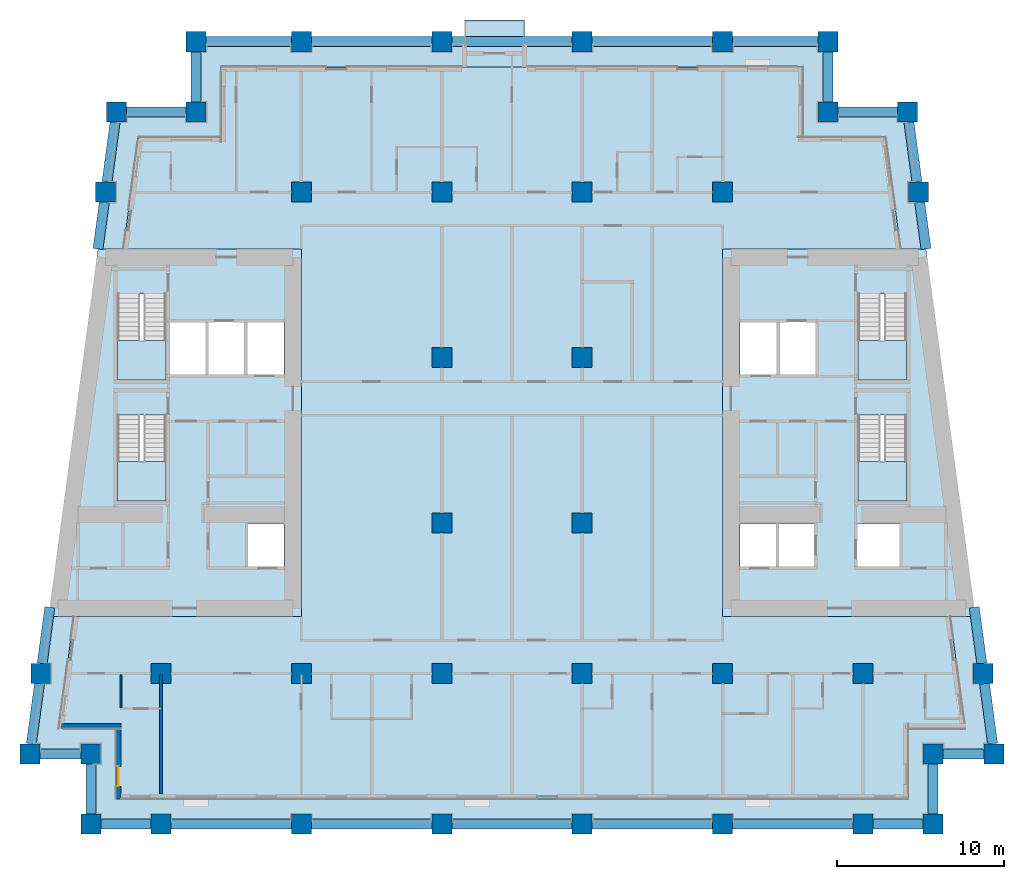
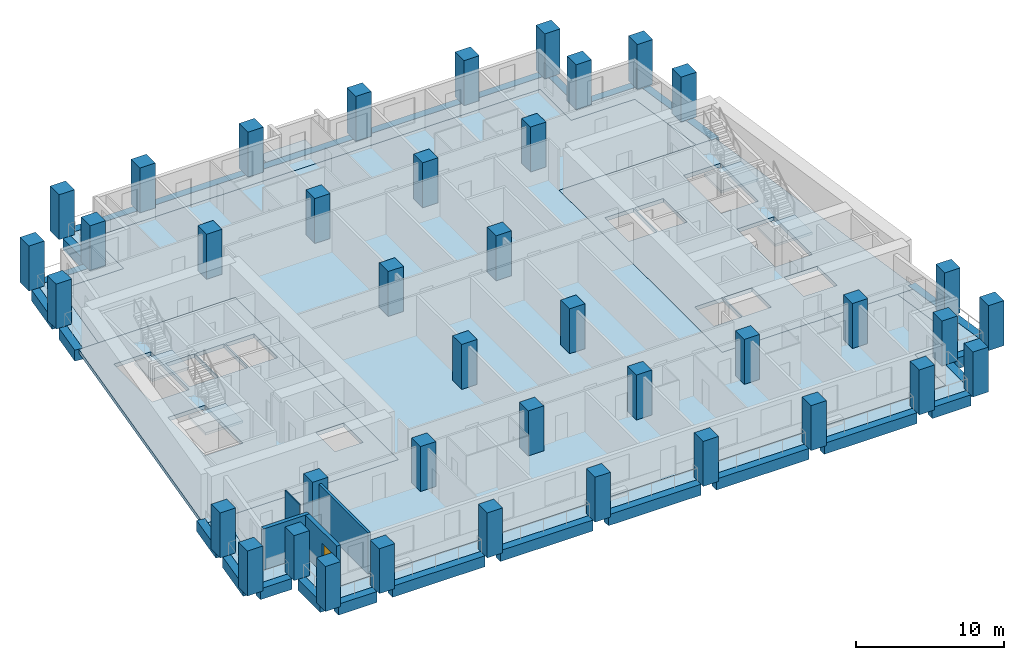
# One storey, part 1 of 13: 40 columns, 28 beams, 10 slabs, 4 walls, 1 door, 1 opening, 4 elements without a shape of their own.
"""IFC4 building model written with IfcOpenShell, lengths in metres."""

from ifc_helpers import new_model, si_unit, direction, frame, frame_2d, origin, origin_2d, place, context, subcontext, project, spatial, polyline, rectangle, outline, extrude, material, layer, layer_set, material_profile, profile_set, type_object, element, fill, aggregate, save


model = new_model("IFC4")

# Units and contexts
model_context = context("Model", 3, precision=1e-05, world=origin(), true_north=direction((0.0, 1.0)))
body_context = subcontext(model_context, "Body", "Model", "MODEL_VIEW")
ifc_project = project(units=[si_unit("LENGTHUNIT", "METRE"), si_unit("AREAUNIT", "SQUARE_METRE"), si_unit("VOLUMEUNIT", "CUBIC_METRE"), si_unit("PLANEANGLEUNIT", "RADIAN"), si_unit("MASSUNIT", "GRAM", prefix="KILO")], contexts=[model_context])

# Site, building, storey
site_placement = place(None, origin())
site = spatial("IfcSite", under=ifc_project, at=site_placement, CompositionType="ELEMENT")
building_placement = place(site_placement, origin())
building = spatial("IfcBuilding", under=site, at=building_placement, Name="Candeia Pilgrim Tower and Theatre", CompositionType="ELEMENT")
storey_placement = place(building_placement, frame((0.0, 0.0, 113.199951171875)))
storey = spatial("IfcBuildingStorey", under=building, at=storey_placement, Name="L26", CompositionType="ELEMENT", Elevation=113.199951171875)

# Columns
ifc_material_1 = material(Name="Concrete C70/85", Category="concrete")
ifc_material_profile_1 = material_profile(ifc_material_1, rectangle(XDim=1.199951171875, YDim=1.199951171875, at=origin_2d()))
ifc_profile_set_1 = profile_set([ifc_material_profile_1], Name="Concrete C70/85")
column_type = type_object("IfcColumnType", Name="RC 1200x1200 C70/85", PredefinedType="COLUMN", material=ifc_profile_set_1)
for number, where, z_axis, x_axis, name in (
    (1, (92.39990234375, 98.0, 0.0), (0.0, 0.0, 1.0), (1.0, 0.0, 0.0), "Column A1"),
    (2, (100.800048828125, 98.0, 0.0), (0.0, 0.0, 1.0), (1.0, 0.0, 0.0), "Column A2"),
    (3, (109.199951171875, 98.0, 0.0), (0.0, 0.0, 1.0), (1.0, 0.0, 0.0), "Column A3"),
    (4, (117.60009765625, 98.0, 0.0), (0.0, 0.0, 1.0), (1.0, 0.0, 0.0), "Column A4"),
    (5, (126.0, 98.0, 0.0), (0.0, 0.0, 1.0), (1.0, 0.0, 0.0), "Column A5"),
    (6, (134.39990234375, 98.0, 0.0), (0.0, 0.0, 1.0), (1.0, 0.0, 0.0), "Column A6"),
    (7, (88.199951171875, 98.0, 0.0), (0.0, 0.0, 1.0), (1.0, 0.0, 0.0), "Column AW"),
    (8, (138.60009765625, 98.0, 0.0), (0.0, 0.0, 1.0), (1.0, 0.0, 0.0), "Column AE"),
    (9, (88.199951171875, 102.199951171875, 0.0), (0.0, 0.0, 1.0), (1.0, 0.0, 0.0), "Column NSW"),
    (10, (138.60009765625, 102.199951171875, 0.0), (0.0, 0.0, 1.0), (1.0, 0.0, 0.0), "Column NSE"),
    (11, (94.5, 140.60009765625, 0.0), (0.0, 0.0, 1.0), (1.0, 0.0, 0.0), "Column NNW"),
    (12, (132.300048828125, 140.60009765625, 0.0), (0.0, 0.0, 1.0), (1.0, 0.0, 0.0), "Column NNE"),
    (13, (84.5654296875, 102.199951171875, 0.0), (0.0, 0.0, 1.0), (1.0, 0.0, 0.0), "Column LSW"),
    (14, (142.234619140625, 102.199951171875, 0.0), (0.0, 0.0, 1.0), (1.0, 0.0, 0.0), "Column LSE"),
    (15, (89.734619140625, 140.60009765625, 0.0), (0.0, 0.0, 1.0), (1.0, 0.0, 0.0), "Column LNW"),
    (16, (137.0654296875, 140.60009765625, 0.0), (0.0, 0.0, 1.0), (1.0, 0.0, 0.0), "Column LNE"),
    (17, (92.39990234375, 107.0, 0.0), (0.0, 0.0, 1.0), (1.0, 0.0, 0.0), "Column B1"),
    (18, (100.800048828125, 107.0, 0.0), (0.0, 0.0, 1.0), (1.0, 0.0, 0.0), "Column B2"),
    (19, (109.199951171875, 107.0, 0.0), (0.0, 0.0, 1.0), (1.0, 0.0, 0.0), "Column B3"),
    (20, (117.60009765625, 107.0, 0.0), (0.0, 0.0, 1.0), (1.0, 0.0, 0.0), "Column B4"),
    (21, (126.0, 107.0, 0.0), (0.0, 0.0, 1.0), (1.0, 0.0, 0.0), "Column B5"),
    (22, (134.39990234375, 107.0, 0.0), (0.0, 0.0, 1.0), (1.0, 0.0, 0.0), "Column B6"),
    (23, (85.21142578125, 107.0, 0.0), (0.0, 0.0, 1.0), (1.0, 0.0, 0.0), "Column BW"),
    (24, (141.58837890625, 107.0, 0.0), (0.0, 0.0, 1.0), (1.0, 0.0, 0.0), "Column BE"),
    (25, (109.199951171875, 116.0, 0.0), (0.0, 0.0, 1.0), (1.0, 0.0, 0.0), "Column C3"),
    (26, (117.60009765625, 116.0, 0.0), (0.0, 0.0, 1.0), (1.0, 0.0, 0.0), "Column C4"),
    (27, (109.199951171875, 125.89990234375, 0.0), (0.0, 0.0, 1.0), (1.0, 0.0, 0.0), "Column D3"),
    (28, (117.60009765625, 125.89990234375, 0.0), (0.0, 0.0, 1.0), (1.0, 0.0, 0.0), "Column D4"),
    (29, (100.800048828125, 135.800048828125, 0.0), (0.0, 0.0, 1.0), (1.0, 0.0, 0.0), "Column E2"),
    (30, (109.199951171875, 135.800048828125, 0.0), (0.0, 0.0, 1.0), (1.0, 0.0, 0.0), "Column E3"),
    (31, (117.60009765625, 135.800048828125, 0.0), (0.0, 0.0, 1.0), (1.0, 0.0, 0.0), "Column E4"),
    (32, (126.0, 135.800048828125, 0.0), (0.0, 0.0, 1.0), (1.0, 0.0, 0.0), "Column E5"),
    (33, (89.08837890625, 135.800048828125, 0.0), (0.0, 0.0, 1.0), (1.0, 0.0, 0.0), "Column EW"),
    (34, (137.71142578125, 135.800048828125, 0.0), (0.0, 0.0, 1.0), (1.0, 0.0, 0.0), "Column EE"),
    (35, (100.800048828125, 144.800048828125, 0.0), (0.0, 0.0, 1.0), (1.0, 0.0, 0.0), "Column F2"),
    (36, (109.199951171875, 144.800048828125, 0.0), (0.0, 0.0, 1.0), (1.0, 0.0, 0.0), "Column F3"),
    (37, (117.60009765625, 144.800048828125, 0.0), (0.0, 0.0, 1.0), (1.0, 0.0, 0.0), "Column F4"),
    (38, (126.0, 144.800048828125, 0.0), (0.0, 0.0, 1.0), (1.0, 0.0, 0.0), "Column F5"),
    (39, (94.5, 144.800048828125, 0.0), (0.0, 0.0, 1.0), (1.0, 0.0, 0.0), "Column FW"),
    (40, (132.300048828125, 144.800048828125, 0.0), (0.0, 0.0, 1.0), (1.0, 0.0, 0.0), "Column FE"),
):
    element("IfcColumn", number, at=place(storey_placement, frame(where, z_axis=z_axis, x_axis=x_axis)), inside=storey, type_object=column_type, Name=name, PredefinedType="COLUMN", context=body_context, shape_type="SweptSolid", body=[
        extrude(rectangle(XDim=1.199951171875, YDim=1.199951171875, at=origin_2d()), origin(), (0.0, 0.0, 1.0), 3.699951171875),
    ])

# Beams
ifc_material_profile_2 = material_profile(ifc_material_1, rectangle(XDim=0.60009765625, YDim=0.89990234375, at=origin_2d()))
ifc_profile_set_2 = profile_set([ifc_material_profile_2], Name="Concrete C70/85")
beam_type = type_object("IfcBeamType", Name="RC 600x900 C70/85", PredefinedType="BEAM", material=ifc_profile_set_2)
beam_1_placement = place(storey_placement, frame((88.800048828125, 98.0, -0.449951171875), z_axis=(1.0, 0.0, 0.0), x_axis=(0.0, 1.0, 0.0)))
element("IfcBeam", 41, at=beam_1_placement, inside=storey, type_object=beam_type, Name="Spandrel beam L26-01", PredefinedType="BEAM", context=body_context, shape_type="SweptSolid", body=[
    extrude(rectangle(XDim=0.60009765625, YDim=0.89990234375, at=origin_2d()), origin(), (0.0, 0.0, 1.0), 3.0),
])
beam_2_placement = place(storey_placement, frame((93.0, 98.0, -0.449951171875), z_axis=(1.0, 0.0, 0.0), x_axis=(0.0, 1.0, 0.0)))
element("IfcBeam", 42, at=beam_2_placement, inside=storey, type_object=beam_type, Name="Spandrel beam L26-02", PredefinedType="BEAM", context=body_context, shape_type="SweptSolid", body=[
    extrude(rectangle(XDim=0.60009765625, YDim=0.89990234375, at=origin_2d()), origin(), (0.0, 0.0, 1.0), 7.199951171875),
])
beam_3_placement = place(storey_placement, frame((101.39990234375, 98.0, -0.449951171875), z_axis=(1.0, 0.0, 0.0), x_axis=(0.0, 1.0, 0.0)))
element("IfcBeam", 43, at=beam_3_placement, inside=storey, type_object=beam_type, Name="Spandrel beam L26-03", PredefinedType="BEAM", context=body_context, shape_type="SweptSolid", body=[
    extrude(rectangle(XDim=0.60009765625, YDim=0.89990234375, at=origin_2d()), origin(), (0.0, 0.0, 1.0), 7.2001953125),
])
for number, where, z_axis, x_axis, name in (
    (44, (109.800048828125, 98.0, -0.449951171875), (1.0, 0.0, 0.0), (0.0, 1.0, 0.0), "Spandrel beam L26-04"),
    (45, (118.199951171875, 98.0, -0.449951171875), (1.0, 0.0, 0.0), (0.0, 1.0, 0.0), "Spandrel beam L26-05"),
    (46, (126.60009765625, 98.0, -0.449951171875), (1.0, 0.0, 0.0), (0.0, 1.0, 0.0), "Spandrel beam L26-06"),
):
    element("IfcBeam", number, at=place(storey_placement, frame(where, z_axis=z_axis, x_axis=x_axis)), inside=storey, type_object=beam_type, Name=name, PredefinedType="BEAM", context=body_context, shape_type="SweptSolid", body=[
        extrude(rectangle(XDim=0.60009765625, YDim=0.89990234375, at=origin_2d()), origin(), (0.0, 0.0, 1.0), 7.199951171875),
    ])
for number, where, z_axis, x_axis, name in (
    (47, (135.0, 98.0, -0.449951171875), (1.0, 0.0, 0.0), (0.0, 1.0, 0.0), "Spandrel beam L26-07"),
    (48, (138.60009765625, 98.60009765625, -0.449951171875), (0.0, 1.0, 0.0), (-1.0, 0.0, 0.0), "Spandrel beam L26-08"),
):
    element("IfcBeam", number, at=place(storey_placement, frame(where, z_axis=z_axis, x_axis=x_axis)), inside=storey, type_object=beam_type, Name=name, PredefinedType="BEAM", context=body_context, shape_type="SweptSolid", body=[
        extrude(rectangle(XDim=0.60009765625, YDim=0.89990234375, at=origin_2d()), origin(), (0.0, 0.0, 1.0), 3.0),
    ])
beam_4_placement = place(storey_placement, frame((139.199951171875, 102.199951171875, -0.449951171875), z_axis=(1.0, 0.0, 0.0), x_axis=(0.0, 1.0, 0.0)))
element("IfcBeam", 49, at=beam_4_placement, inside=storey, type_object=beam_type, Name="Spandrel beam L26-09", PredefinedType="BEAM", context=body_context, shape_type="SweptSolid", body=[
    extrude(rectangle(XDim=0.60009765625, YDim=0.89990234375, at=origin_2d()), origin(), (0.0, 0.0, 1.0), 2.4345703125),
])
beam_5_placement = place(storey_placement, frame((142.15380859375, 102.800048828125, -0.449951171875), z_axis=(-0.133418359924, 0.991059807093, 0.0), x_axis=(-0.991059807093, -0.133418359924, 0.0)))
element("IfcBeam", 50, at=beam_5_placement, inside=storey, type_object=beam_type, Name="Spandrel beam L26-10", PredefinedType="BEAM", context=body_context, shape_type="SweptSolid", body=[
    extrude(rectangle(XDim=0.60009765625, YDim=0.89990234375, at=origin_2d()), origin(), (0.0, 0.0, 1.0), 3.63232421875),
])
beam_6_placement = place(storey_placement, frame((141.5078125, 107.60009765625, -0.449951171875), z_axis=(-0.133458165992, 0.99105444751, 0.0), x_axis=(-0.99105444751, -0.133458165992, 0.0)))
element("IfcBeam", 51, at=beam_6_placement, inside=storey, type_object=beam_type, Name="Spandrel beam L26-11", PredefinedType="BEAM", context=body_context, shape_type="SweptSolid", body=[
    extrude(rectangle(XDim=0.60009765625, YDim=0.89990234375, at=origin_2d()), origin(), (0.0, 0.0, 1.0), 3.39697265625),
])
beam_7_placement = place(storey_placement, frame((138.169189453125, 132.39990234375, -0.449951171875), z_axis=(-0.133420173099, 0.991059562998, 0.0), x_axis=(-0.991059562998, -0.133420173099, 0.0)))
element("IfcBeam", 52, at=beam_7_placement, inside=storey, type_object=beam_type, Name="Spandrel beam L26-12", PredefinedType="BEAM", context=body_context, shape_type="SweptSolid", body=[
    extrude(rectangle(XDim=0.60009765625, YDim=0.89990234375, at=origin_2d()), origin(), (0.0, 0.0, 1.0), 2.8251953125),
])
beam_8_placement = place(storey_placement, frame((137.630859375, 136.39990234375, -0.449951171875), z_axis=(-0.133409473196, 0.991061003401, 0.0), x_axis=(-0.991061003401, -0.133409473196, 0.0)))
element("IfcBeam", 53, at=beam_8_placement, inside=storey, type_object=beam_type, Name="Spandrel beam L26-13", PredefinedType="BEAM", context=body_context, shape_type="SweptSolid", body=[
    extrude(rectangle(XDim=0.60009765625, YDim=0.89990234375, at=origin_2d()), origin(), (0.0, 0.0, 1.0), 3.632568359375),
])
beam_9_placement = place(storey_placement, frame((136.46533203125, 140.60009765625, -0.449951171875), z_axis=(-1.0, 0.0, 0.0), x_axis=(0.0, -1.0, 0.0)))
element("IfcBeam", 54, at=beam_9_placement, inside=storey, type_object=beam_type, Name="Spandrel beam L26-14", PredefinedType="BEAM", context=body_context, shape_type="SweptSolid", body=[
    extrude(rectangle(XDim=0.60009765625, YDim=0.89990234375, at=origin_2d()), origin(), (0.0, 0.0, 1.0), 3.5654296875),
])
beam_10_placement = place(storey_placement, frame((132.300048828125, 141.199951171875, -0.449951171875), z_axis=(0.0, 1.0, 0.0), x_axis=(-1.0, 0.0, 0.0)))
element("IfcBeam", 55, at=beam_10_placement, inside=storey, type_object=beam_type, Name="Spandrel beam L26-15", PredefinedType="BEAM", context=body_context, shape_type="SweptSolid", body=[
    extrude(rectangle(XDim=0.60009765625, YDim=0.89990234375, at=origin_2d()), origin(), (0.0, 0.0, 1.0), 3.0),
])
beam_11_placement = place(storey_placement, frame((131.699951171875, 144.800048828125, -0.449951171875), z_axis=(-1.0, 0.0, 0.0), x_axis=(0.0, -1.0, 0.0)))
element("IfcBeam", 56, at=beam_11_placement, inside=storey, type_object=beam_type, Name="Spandrel beam L26-16", PredefinedType="BEAM", context=body_context, shape_type="SweptSolid", body=[
    extrude(rectangle(XDim=0.60009765625, YDim=0.89990234375, at=origin_2d()), origin(), (0.0, 0.0, 1.0), 5.099853515625),
])
for number, where, z_axis, x_axis, name in (
    (57, (125.39990234375, 144.800048828125, -0.449951171875), (-1.0, 0.0, 0.0), (0.0, -1.0, 0.0), "Spandrel beam L26-17"),
    (58, (117.0, 144.800048828125, -0.449951171875), (-1.0, 0.0, 0.0), (0.0, -1.0, 0.0), "Spandrel beam L26-18"),
):
    element("IfcBeam", number, at=place(storey_placement, frame(where, z_axis=z_axis, x_axis=x_axis)), inside=storey, type_object=beam_type, Name=name, PredefinedType="BEAM", context=body_context, shape_type="SweptSolid", body=[
        extrude(rectangle(XDim=0.60009765625, YDim=0.89990234375, at=origin_2d()), origin(), (0.0, 0.0, 1.0), 7.199951171875),
    ])
beam_12_placement = place(storey_placement, frame((108.60009765625, 144.800048828125, -0.449951171875), z_axis=(-1.0, 0.0, 0.0), x_axis=(0.0, -1.0, 0.0)))
element("IfcBeam", 59, at=beam_12_placement, inside=storey, type_object=beam_type, Name="Spandrel beam L26-19", PredefinedType="BEAM", context=body_context, shape_type="SweptSolid", body=[
    extrude(rectangle(XDim=0.60009765625, YDim=0.89990234375, at=origin_2d()), origin(), (0.0, 0.0, 1.0), 7.2001953125),
])
beam_13_placement = place(storey_placement, frame((100.199951171875, 144.800048828125, -0.449951171875), z_axis=(-1.0, 0.0, 0.0), x_axis=(0.0, -1.0, 0.0)))
element("IfcBeam", 60, at=beam_13_placement, inside=storey, type_object=beam_type, Name="Spandrel beam L26-20", PredefinedType="BEAM", context=body_context, shape_type="SweptSolid", body=[
    extrude(rectangle(XDim=0.60009765625, YDim=0.89990234375, at=origin_2d()), origin(), (0.0, 0.0, 1.0), 5.099853515625),
])
beam_14_placement = place(storey_placement, frame((94.5, 144.199951171875, -0.449951171875), z_axis=(0.0, -1.0, 0.0), x_axis=(1.0, 0.0, 0.0)))
element("IfcBeam", 61, at=beam_14_placement, inside=storey, type_object=beam_type, Name="Spandrel beam L26-21", PredefinedType="BEAM", context=body_context, shape_type="SweptSolid", body=[
    extrude(rectangle(XDim=0.60009765625, YDim=0.89990234375, at=origin_2d()), origin(), (0.0, 0.0, 1.0), 3.0),
])
beam_15_placement = place(storey_placement, frame((93.89990234375, 140.60009765625, -0.449951171875), z_axis=(-1.0, 0.0, 0.0), x_axis=(0.0, -1.0, 0.0)))
element("IfcBeam", 62, at=beam_15_placement, inside=storey, type_object=beam_type, Name="Spandrel beam L26-22", PredefinedType="BEAM", context=body_context, shape_type="SweptSolid", body=[
    extrude(rectangle(XDim=0.60009765625, YDim=0.89990234375, at=origin_2d()), origin(), (0.0, 0.0, 1.0), 3.565185546875),
])
beam_16_placement = place(storey_placement, frame((89.65380859375, 140.0, -0.449951171875), z_axis=(-0.133409473196, -0.991061003401, 0.0), x_axis=(0.991061003401, -0.133409473196, 0.0)))
element("IfcBeam", 63, at=beam_16_placement, inside=storey, type_object=beam_type, Name="Spandrel beam L26-23", PredefinedType="BEAM", context=body_context, shape_type="SweptSolid", body=[
    extrude(rectangle(XDim=0.60009765625, YDim=0.89990234375, at=origin_2d()), origin(), (0.0, 0.0, 1.0), 3.632568359375),
])
beam_17_placement = place(storey_placement, frame((89.0078125, 135.199951171875, -0.449951171875), z_axis=(-0.133420173099, -0.991059562998, 0.0), x_axis=(0.991059562998, -0.133420173099, 0.0)))
element("IfcBeam", 64, at=beam_17_placement, inside=storey, type_object=beam_type, Name="Spandrel beam L26-24", PredefinedType="BEAM", context=body_context, shape_type="SweptSolid", body=[
    extrude(rectangle(XDim=0.60009765625, YDim=0.89990234375, at=origin_2d()), origin(), (0.0, 0.0, 1.0), 2.8251953125),
])
beam_18_placement = place(storey_placement, frame((85.74560546875, 110.966796875, -0.449951171875), z_axis=(-0.133458165992, -0.99105444751, 0.0), x_axis=(0.99105444751, -0.133458165992, 0.0)))
element("IfcBeam", 65, at=beam_18_placement, inside=storey, type_object=beam_type, Name="Spandrel beam L26-25", PredefinedType="BEAM", context=body_context, shape_type="SweptSolid", body=[
    extrude(rectangle(XDim=0.60009765625, YDim=0.89990234375, at=origin_2d()), origin(), (0.0, 0.0, 1.0), 3.39697265625),
])
beam_19_placement = place(storey_placement, frame((85.130859375, 106.39990234375, -0.449951171875), z_axis=(-0.133418359924, -0.991059807093, 0.0), x_axis=(0.991059807093, -0.133418359924, 0.0)))
element("IfcBeam", 66, at=beam_19_placement, inside=storey, type_object=beam_type, Name="Spandrel beam L26-26", PredefinedType="BEAM", context=body_context, shape_type="SweptSolid", body=[
    extrude(rectangle(XDim=0.60009765625, YDim=0.89990234375, at=origin_2d()), origin(), (0.0, 0.0, 1.0), 3.63232421875),
])
beam_20_placement = place(storey_placement, frame((85.165283203125, 102.199951171875, -0.449951171875), z_axis=(1.0, 0.0, 0.0), x_axis=(0.0, 1.0, 0.0)))
element("IfcBeam", 67, at=beam_20_placement, inside=storey, type_object=beam_type, Name="Spandrel beam L26-27", PredefinedType="BEAM", context=body_context, shape_type="SweptSolid", body=[
    extrude(rectangle(XDim=0.60009765625, YDim=0.89990234375, at=origin_2d()), origin(), (0.0, 0.0, 1.0), 2.434814453125),
])
beam_21_placement = place(storey_placement, frame((88.199951171875, 101.60009765625, -0.449951171875), z_axis=(0.0, -1.0, 0.0), x_axis=(1.0, 0.0, 0.0)))
element("IfcBeam", 68, at=beam_21_placement, inside=storey, type_object=beam_type, Name="Spandrel beam L26-28", PredefinedType="BEAM", context=body_context, shape_type="SweptSolid", body=[
    extrude(rectangle(XDim=0.60009765625, YDim=0.89990234375, at=origin_2d()), origin(), (0.0, 0.0, 1.0), 3.0),
])

# Slabs
ifc_material_2 = material(Name="Concrete C40/50", Category="concrete")
ifc_layer_1 = layer(ifc_material_2, 0.25)
ifc_layer_set_1 = layer_set([ifc_layer_1], Name="BK1 balcony slab 250")
slab_type_1 = type_object("IfcSlabType", Name="BK1 balcony slab 250", PredefinedType="USERDEFINED", material=ifc_layer_set_1)
slab_1_placement = place(storey_placement, frame((0.0, 0.0, -0.25)))
element("IfcSlab", 69, at=slab_1_placement, inside=storey, type_object=slab_type_1, Name="Balcony L26", ObjectType="BALCONY", PredefinedType="USERDEFINED", context=body_context, shape_type="SweptSolid", body=[
    extrude(outline(polyline([(110.550048828125, 144.5), (114.14990234375, 144.5), (114.14990234375, 146.10009765625), (110.550048828125, 146.10009765625), (110.550048828125, 144.5)])), origin(), (0.0, 0.0, 1.0), 0.25),
])
ifc_material_3 = material(Name="Concrete C60/75", Category="concrete")
ifc_layer_2 = layer(ifc_material_3, 0.320068359375)
ifc_layer_set_2 = layer_set([ifc_layer_2], Name="FS-CORE 320 core floor")
slab_type_2 = type_object("IfcSlabType", Name="FS-CORE 320 core floor", PredefinedType="FLOOR", material=ifc_layer_set_2)
slab_2_placement = place(storey_placement, frame((0.0, 0.0, -0.320068359375)))
element("IfcSlab", 70, at=slab_2_placement, inside=storey, type_object=slab_type_2, Name="Core floor W L26", PredefinedType="FLOOR", context=body_context, shape_type="SweptSolid", body=[
    extrude(outline(polyline([(100.800048828125, 132.39990234375), (100.800048828125, 110.39990234375), (85.669189453125, 110.39990234375), (88.630859375, 132.39990234375), (100.800048828125, 132.39990234375)]), holes=[polyline([(97.525634765625, 128.050048828125), (97.525634765625, 124.85009765625), (99.75, 124.85009765625), (99.75, 128.050048828125), (97.525634765625, 128.050048828125)]), polyline([(97.5634765625, 113.35009765625), (99.75, 113.35009765625), (99.75, 115.949951171875), (97.5634765625, 115.949951171875), (97.5634765625, 113.35009765625)]), polyline([(95.201416015625, 124.85009765625), (97.42578125, 124.85009765625), (97.42578125, 128.050048828125), (95.201416015625, 128.050048828125), (95.201416015625, 124.85009765625)]), polyline([(92.876953125, 128.050048828125), (92.876953125, 124.85009765625), (95.101318359375, 124.85009765625), (95.101318359375, 128.050048828125), (92.876953125, 128.050048828125)]), polyline([(89.802001953125, 122.455078125), (89.802001953125, 117.324951171875), (92.701904296875, 117.324951171875), (92.701904296875, 122.455078125), (89.802001953125, 122.455078125)]), polyline([(89.802001953125, 129.705078125), (89.802001953125, 124.574951171875), (92.701904296875, 124.574951171875), (92.701904296875, 129.705078125), (89.802001953125, 129.705078125)])]), origin(), (0.0, 0.0, 1.0), 0.320068359375),
])
slab_3_placement = place(storey_placement, frame((0.0, 0.0, -0.320068359375)))
element("IfcSlab", 71, at=slab_3_placement, inside=storey, type_object=slab_type_2, Name="Core floor E L26", PredefinedType="FLOOR", context=body_context, shape_type="SweptSolid", body=[
    extrude(outline(polyline([(138.169189453125, 132.39990234375), (141.130859375, 110.39990234375), (126.0, 110.39990234375), (126.0, 132.39990234375), (138.169189453125, 132.39990234375)]), holes=[polyline([(134.097900390625, 122.455078125), (134.097900390625, 117.324951171875), (136.998046875, 117.324951171875), (136.998046875, 122.455078125), (134.097900390625, 122.455078125)]), polyline([(134.097900390625, 129.705078125), (134.097900390625, 124.574951171875), (136.998046875, 124.574951171875), (136.998046875, 129.705078125), (134.097900390625, 129.705078125)]), polyline([(136.6220703125, 115.949951171875), (134.02294921875, 115.949951171875), (134.02294921875, 113.35009765625), (136.6220703125, 113.35009765625), (136.6220703125, 115.949951171875)]), polyline([(131.5986328125, 128.050048828125), (129.374267578125, 128.050048828125), (129.374267578125, 124.85009765625), (131.5986328125, 124.85009765625), (131.5986328125, 128.050048828125)]), polyline([(131.52294921875, 115.949951171875), (129.33642578125, 115.949951171875), (129.33642578125, 113.35009765625), (131.52294921875, 113.35009765625), (131.52294921875, 115.949951171875)]), polyline([(129.2744140625, 128.050048828125), (127.050048828125, 128.050048828125), (127.050048828125, 124.85009765625), (129.2744140625, 124.85009765625), (129.2744140625, 128.050048828125)]), polyline([(127.050048828125, 115.949951171875), (127.050048828125, 113.35009765625), (129.236572265625, 113.35009765625), (129.236572265625, 115.949951171875), (127.050048828125, 115.949951171875)])]), origin(), (0.0, 0.0, 1.0), 0.320068359375),
])
ifc_material_4 = material(Name="Concrete C50/60", Category="concrete")
ifc_layer_3 = layer(ifc_material_4, 0.320068359375)
ifc_layer_set_3 = layer_set([ifc_layer_3], Name="Floor slab 320 C50/60")
slab_type_3 = type_object("IfcSlabType", Name="Floor slab 320 C50/60", PredefinedType="FLOOR", material=ifc_layer_set_3)
slab_4_placement = place(storey_placement, frame((0.0, 0.0, -0.320068359375)))
element("IfcSlab", 72, at=slab_4_placement, inside=storey, type_object=slab_type_3, Name="Floor slab L26", PredefinedType="FLOOR", context=body_context, shape_type="SweptSolid", body=[
    extrude(outline(polyline([(96.0, 139.10009765625), (96.0, 143.300048828125), (130.800048828125, 143.300048828125), (130.800048828125, 139.10009765625), (135.753662109375, 139.10009765625), (136.65576171875, 132.39990234375), (126.0, 132.39990234375), (126.0, 110.39990234375), (139.6171875, 110.39990234375), (140.51904296875, 103.699951171875), (137.10009765625, 103.699951171875), (137.10009765625, 99.5), (89.699951171875, 99.5), (89.699951171875, 103.699951171875), (86.28076171875, 103.699951171875), (87.182861328125, 110.39990234375), (100.800048828125, 110.39990234375), (100.800048828125, 132.39990234375), (90.144287109375, 132.39990234375), (91.046142578125, 139.10009765625), (96.0, 139.10009765625)])), origin(), (0.0, 0.0, 1.0), 0.320068359375),
])
ifc_layer_4 = layer(ifc_material_2, 0.25)
ifc_layer_set_4 = layer_set([ifc_layer_4], Name="Loggia slab 250 C40/50")
slab_type_4 = type_object("IfcSlabType", Name="Loggia slab 250 C40/50", PredefinedType="FLOOR", material=ifc_layer_set_4)
slab_5_placement = place(storey_placement, frame((0.0, 0.0, -0.25)))
element("IfcSlab", 73, at=slab_5_placement, inside=storey, type_object=slab_type_4, Name="Loggia slab L26 1", PredefinedType="FLOOR", context=body_context, shape_type="SweptSolid", body=[
    extrude(outline(polyline([(87.182861328125, 110.39990234375), (86.28076171875, 103.699951171875), (89.699951171875, 103.699951171875), (89.699951171875, 99.5), (137.10009765625, 99.5), (137.10009765625, 103.699951171875), (140.51904296875, 103.699951171875), (139.6171875, 110.39990234375), (140.828125, 110.39990234375), (141.8916015625, 102.5), (138.300048828125, 102.5), (138.300048828125, 98.300048828125), (88.5, 98.300048828125), (88.5, 102.5), (84.908447265625, 102.5), (85.971923828125, 110.39990234375), (87.182861328125, 110.39990234375)])), origin(), (0.0, 0.0, 1.0), 0.25),
])
slab_6_placement = place(storey_placement, frame((0.0, 0.0, -0.25)))
element("IfcSlab", 74, at=slab_6_placement, inside=storey, type_object=slab_type_4, Name="Loggia slab L26 2", PredefinedType="FLOOR", context=body_context, shape_type="SweptSolid", body=[
    extrude(outline(polyline([(136.65576171875, 132.39990234375), (135.753662109375, 139.10009765625), (130.800048828125, 139.10009765625), (130.800048828125, 143.300048828125), (96.0, 143.300048828125), (96.0, 139.10009765625), (91.046142578125, 139.10009765625), (90.144287109375, 132.39990234375), (88.93359375, 132.39990234375), (89.996826171875, 140.300048828125), (94.800048828125, 140.300048828125), (94.800048828125, 144.5), (132.0, 144.5), (132.0, 140.300048828125), (136.802978515625, 140.300048828125), (137.866455078125, 132.39990234375), (136.65576171875, 132.39990234375)])), origin(), (0.0, 0.0, 1.0), 0.25),
])

# Stair, slab
stair_type = type_object("IfcStairType", Name="ST-TWR dog-leg escape stair", PredefinedType="HALF_TURN_STAIR", material=ifc_material_2)
stair_1_placement = place(storey_placement, origin())
stair_1 = element("IfcStair", 75, at=stair_1_placement, inside=storey, type_object=stair_type, Name="L26 Escape stair ST1", PredefinedType="HALF_TURN_STAIR")
ifc_layer_5 = layer(ifc_material_2, 0.199951171875)
ifc_layer_set_5 = layer_set([ifc_layer_5], Name="SL-LANDING stair landing")
slab_type_5 = type_object("IfcSlabType", Name="SL-LANDING stair landing", PredefinedType="LANDING", material=ifc_layer_set_5)
slab_7_placement = place(storey_placement, frame((0.0, 0.0, 1.650146484375)))
slab_7 = element("IfcSlab", 76, at=slab_7_placement, type_object=slab_type_5, Name="ST1 landing 1", PredefinedType="LANDING", context=body_context, shape_type="SweptSolid", body=[
    extrude(outline(polyline([(89.802001953125, 119.675048828125), (89.802001953125, 117.324951171875), (92.701904296875, 117.324951171875), (92.701904296875, 119.675048828125), (89.802001953125, 119.675048828125)])), origin(), (0.0, 0.0, 1.0), 0.199951171875),
])
aggregate(stair_1, [slab_7])

stair_2_placement = place(storey_placement, origin())
stair_2 = element("IfcStair", 77, at=stair_2_placement, inside=storey, type_object=stair_type, Name="L26 Escape stair ST2", PredefinedType="HALF_TURN_STAIR")
slab_8_placement = place(storey_placement, frame((0.0, 0.0, 1.650146484375)))
slab_8 = element("IfcSlab", 78, at=slab_8_placement, type_object=slab_type_5, Name="ST2 landing 1", PredefinedType="LANDING", context=body_context, shape_type="SweptSolid", body=[
    extrude(outline(polyline([(89.802001953125, 126.925048828125), (89.802001953125, 124.574951171875), (92.701904296875, 124.574951171875), (92.701904296875, 126.925048828125), (89.802001953125, 126.925048828125)])), origin(), (0.0, 0.0, 1.0), 0.199951171875),
])
aggregate(stair_2, [slab_8])

stair_3_placement = place(storey_placement, origin())
stair_3 = element("IfcStair", 79, at=stair_3_placement, inside=storey, type_object=stair_type, Name="L26 Escape stair ST3", PredefinedType="HALF_TURN_STAIR")
slab_9_placement = place(storey_placement, frame((0.0, 0.0, 1.650146484375)))
slab_9 = element("IfcSlab", 80, at=slab_9_placement, type_object=slab_type_5, Name="ST3 landing 1", PredefinedType="LANDING", context=body_context, shape_type="SweptSolid", body=[
    extrude(outline(polyline([(134.097900390625, 119.675048828125), (134.097900390625, 117.324951171875), (136.998046875, 117.324951171875), (136.998046875, 119.675048828125), (134.097900390625, 119.675048828125)])), origin(), (0.0, 0.0, 1.0), 0.199951171875),
])
aggregate(stair_3, [slab_9])

stair_4_placement = place(storey_placement, origin())
stair_4 = element("IfcStair", 81, at=stair_4_placement, inside=storey, type_object=stair_type, Name="L26 Escape stair ST4", PredefinedType="HALF_TURN_STAIR")
slab_10_placement = place(storey_placement, frame((0.0, 0.0, 1.650146484375)))
slab_10 = element("IfcSlab", 82, at=slab_10_placement, type_object=slab_type_5, Name="ST4 landing 1", PredefinedType="LANDING", context=body_context, shape_type="SweptSolid", body=[
    extrude(outline(polyline([(134.097900390625, 126.925048828125), (134.097900390625, 124.574951171875), (136.998046875, 124.574951171875), (136.998046875, 126.925048828125), (134.097900390625, 126.925048828125)])), origin(), (0.0, 0.0, 1.0), 0.199951171875),
])
aggregate(stair_4, [slab_10])

# Wall
ifc_material_5 = material(Name="Ceramic block masonry", Category="masonry")
ifc_layer_6 = layer(ifc_material_5, 0.300048828125)
ifc_layer_set_6 = layer_set([ifc_layer_6], Name="EW1 glazing-line wall 300")
wall_type_1 = type_object("IfcWallType", Name="EW1 glazing-line wall 300", PredefinedType="SOLIDWALL", material=ifc_layer_set_6)
wall_1_placement = place(storey_placement, frame((86.452392578125, 103.85009765625, 0.0), z_axis=(0.0, 0.0, 1.0), x_axis=(1.0, 0.0, 0.0)))
element("IfcWall", 83, at=wall_1_placement, inside=storey, type_object=wall_type_1, Name="External wall L26-10.0", PredefinedType="SOLIDWALL", context=body_context, shape_type="SweptSolid", body=[
    extrude(rectangle(XDim=3.547607421875, YDim=0.300048828125, at=frame_2d((1.77392578125, 0.0))), origin(), (0.0, 0.0, 1.0), 3.380126953125),
])

# Wall, opening, door
wall_2_placement = place(storey_placement, frame((89.85009765625, 103.85009765625, 0.0), z_axis=(0.0, 0.0, 1.0), x_axis=(0.0, -1.0, 0.0)))
wall_2 = element("IfcWall", 84, at=wall_2_placement, inside=storey, type_object=wall_type_1, Name="External wall L26-11.0", PredefinedType="SOLIDWALL", context=body_context, shape_type="SweptSolid", body=[
    extrude(rectangle(XDim=4.35009765625, YDim=0.300048828125, at=frame_2d((2.175048828125, 0.0))), origin(), (0.0, 0.0, 1.0), 3.380126953125),
])
opening_placement = place(wall_2_placement, frame((2.39990234375, 0.0, 0.0)))
opening = element("IfcOpeningElement", 85, at=opening_placement, cuts=wall_2, Name="Opening L26-ED271", PredefinedType="OPENING", context=body_context, shape_type="SweptSolid", body=[
    extrude(rectangle(XDim=1.199951171875, YDim=2.39990234375, at=frame_2d((0.60009765625, 1.199951171875))), frame((0.0, 0.16015625, 0.0), z_axis=(0.0, -1.0, 0.0), x_axis=(1.0, 0.0, 0.0)), (0.0, 0.0, 1.0), 0.320068359375),
])
ifc_material_6 = material(Name="Aluminium framed glazed door", Category="aluminium")
door_type = type_object("IfcDoorType", Name="Loggia door 1200x2400", OperationType="DOUBLE_DOOR_SINGLE_SWING", PredefinedType="DOOR", material=ifc_material_6)
door_placement = place(opening_placement, origin())
door = element("IfcDoor", 86, at=door_placement, inside=storey, type_object=door_type, Name="Loggia door L26-ED271", OperationType="DOUBLE_DOOR_SINGLE_SWING", OverallHeight=2.39990234375, OverallWidth=1.199951171875, PredefinedType="DOOR", context=body_context, shape_type="SweptSolid", body=[
    extrude(rectangle(XDim=1.199951171875, YDim=2.39990234375, at=frame_2d((0.60009765625, 1.199951171875))), frame((0.0, 0.02490234375, 0.0), z_axis=(0.0, -1.0, 0.0), x_axis=(1.0, 0.0, 0.0)), (0.0, 0.0, 1.0), 0.050048828125),
])
fill(opening, door)

# Walls
ifc_material_7 = material(Name="Gypsum board partition on steel studs", Category="steel")
ifc_layer_7 = layer(ifc_material_7, 0.10009765625)
ifc_layer_set_7 = layer_set([ifc_layer_7], Name="PW-100 room partition")
wall_type_2 = type_object("IfcWallType", Name="PW-100 room partition", PredefinedType="PARTITIONING", material=ifc_layer_set_7)
wall_3_placement = place(storey_placement, frame((90.0, 104.949951171875, 0.0), z_axis=(0.0, 0.0, 1.0), x_axis=(0.0, 1.0, 0.0)))
element("IfcWall", 87, at=wall_3_placement, inside=storey, type_object=wall_type_2, Name="Room partition L26-050", PredefinedType="PARTITIONING", context=body_context, shape_type="SweptSolid", body=[
    extrude(rectangle(XDim=1.97509765625, YDim=0.10009765625, at=frame_2d((0.987548828125, 0.0))), origin(), (0.0, 0.0, 1.0), 3.380126953125),
])
ifc_layer_8 = layer(ifc_material_7, 0.199951171875)
ifc_layer_set_8 = layer_set([ifc_layer_8], Name="PW-200 party wall")
wall_type_3 = type_object("IfcWallType", Name="PW-200 party wall", PredefinedType="PARTITIONING", material=ifc_layer_set_8)
wall_4_placement = place(storey_placement, frame((92.39990234375, 99.7900390625, 0.0), z_axis=(0.0, 0.0, 1.0), x_axis=(0.0, 1.0, 0.0)))
element("IfcWall", 88, at=wall_4_placement, inside=storey, type_object=wall_type_3, Name="Party wall L26-052", PredefinedType="PARTITIONING", context=body_context, shape_type="SweptSolid", body=[
    extrude(rectangle(XDim=7.135009765625, YDim=0.199951171875, at=frame_2d((3.5673828125, 0.0))), origin(), (0.0, 0.0, 1.0), 3.380126953125),
])

save(model, "model.ifc")
